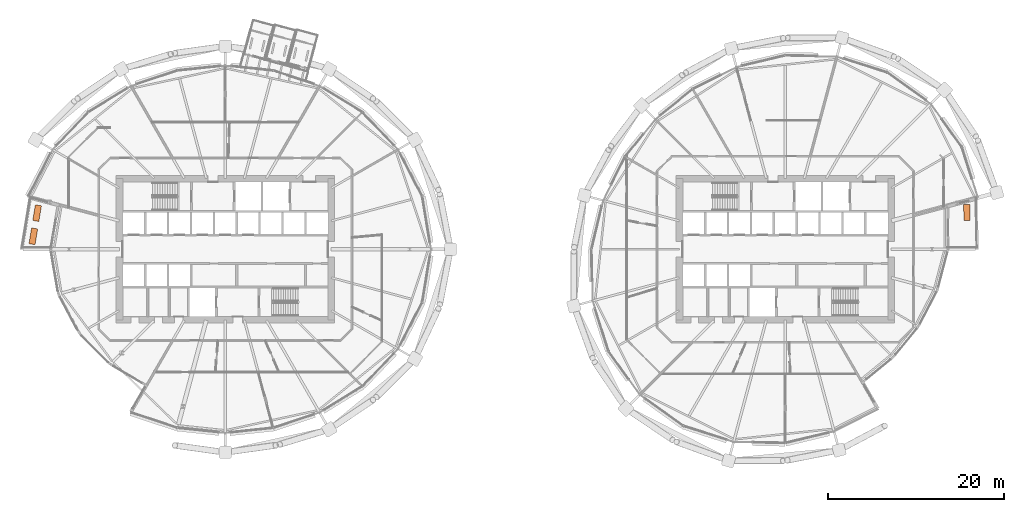
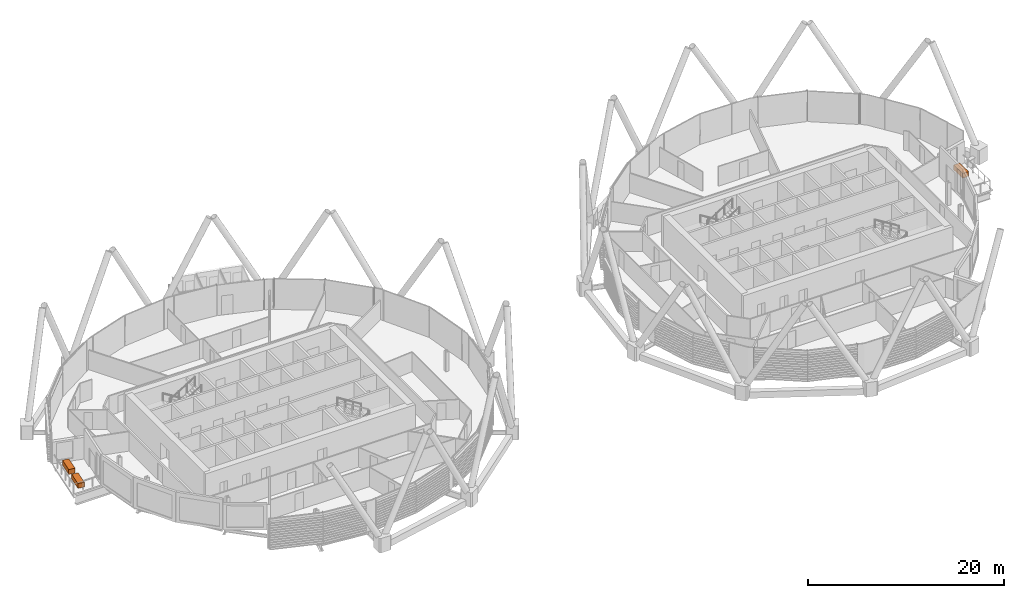
# One storey, part 38 of 38: 3 proxies.
"""IFC4 building model written with IfcOpenShell, lengths in metres."""

from ifc_helpers import new_model, si_unit, direction, frame, origin, origin_2d, place, context, subcontext, project, spatial, rectangle, extrude, material, type_object, element, save


model = new_model("IFC4")

# Units and contexts
model_context = context("Model", 3, precision=1e-05, world=origin(), true_north=direction((0.0, 1.0)))
body_context = subcontext(model_context, "Body", "Model", "MODEL_VIEW")
ifc_project = project(units=[si_unit("LENGTHUNIT", "METRE"), si_unit("AREAUNIT", "SQUARE_METRE"), si_unit("VOLUMEUNIT", "CUBIC_METRE"), si_unit("PLANEANGLEUNIT", "RADIAN"), si_unit("MASSUNIT", "GRAM", prefix="KILO")], contexts=[model_context])

# Site, building, storey
site_placement = place(None, origin())
site = spatial("IfcSite", under=ifc_project, at=site_placement, CompositionType="ELEMENT")
building_placement = place(site_placement, origin())
building = spatial("IfcBuilding", under=site, at=building_placement, Name="Rimbun Link Towers", CompositionType="ELEMENT")
storey_placement = place(building_placement, frame((0.0, 0.0, 104.39990234375)))
storey = spatial("IfcBuildingStorey", under=building, at=storey_placement, Name="L25", CompositionType="ELEMENT", Elevation=104.39990234375)

# Proxies
ifc_material = material(Name="Concrete C30/37", Category="concrete")
building_element_proxy_type = type_object("IfcBuildingElementProxyType", Name="PLANTER precast box 1800X700X600", PredefinedType="USERDEFINED", material=ifc_material)
for number, where, z_axis, x_axis, name in (
    (1, (-53.091796875, 4.099365234375, 0.0), (0.0, 0.0, 1.0), (-0.162248230183, -0.986749974311, 0.0), "PLANTER"),
    (2, (-53.524169921875, 1.47021484375, 0.0), (0.0, 0.0, 1.0), (-0.162248230183, -0.986749974311, 0.0), "PLANTER"),
    (3, (52.34130859375, 4.1806640625, 0.0), (0.0, 0.0, 1.0), (-0.021063270517, 0.999778144708, 0.0), "PLANTER"),
):
    element("IfcBuildingElementProxy", number, at=place(storey_placement, frame(where, z_axis=z_axis, x_axis=x_axis)), inside=storey, type_object=building_element_proxy_type, Name=name, ObjectType="PLANTER", PredefinedType="USERDEFINED", context=body_context, shape_type="SweptSolid", body=[
        extrude(rectangle(XDim=1.800048828125, YDim=0.699951171875, at=origin_2d()), origin(), (0.0, 0.0, 1.0), 0.60009765625),
    ])

save(model, "model.ifc")
